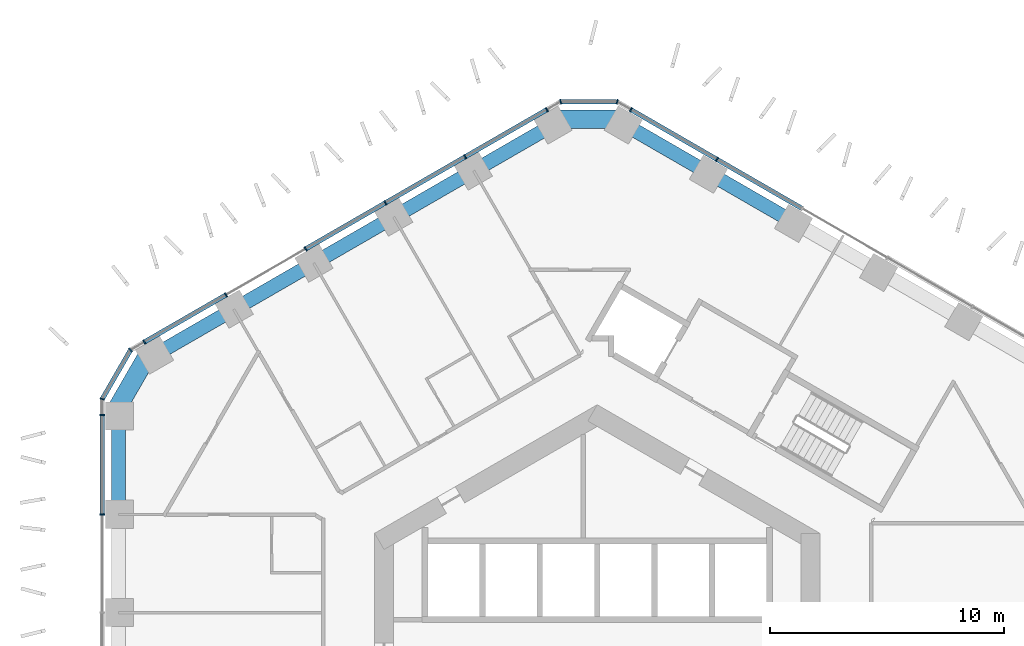
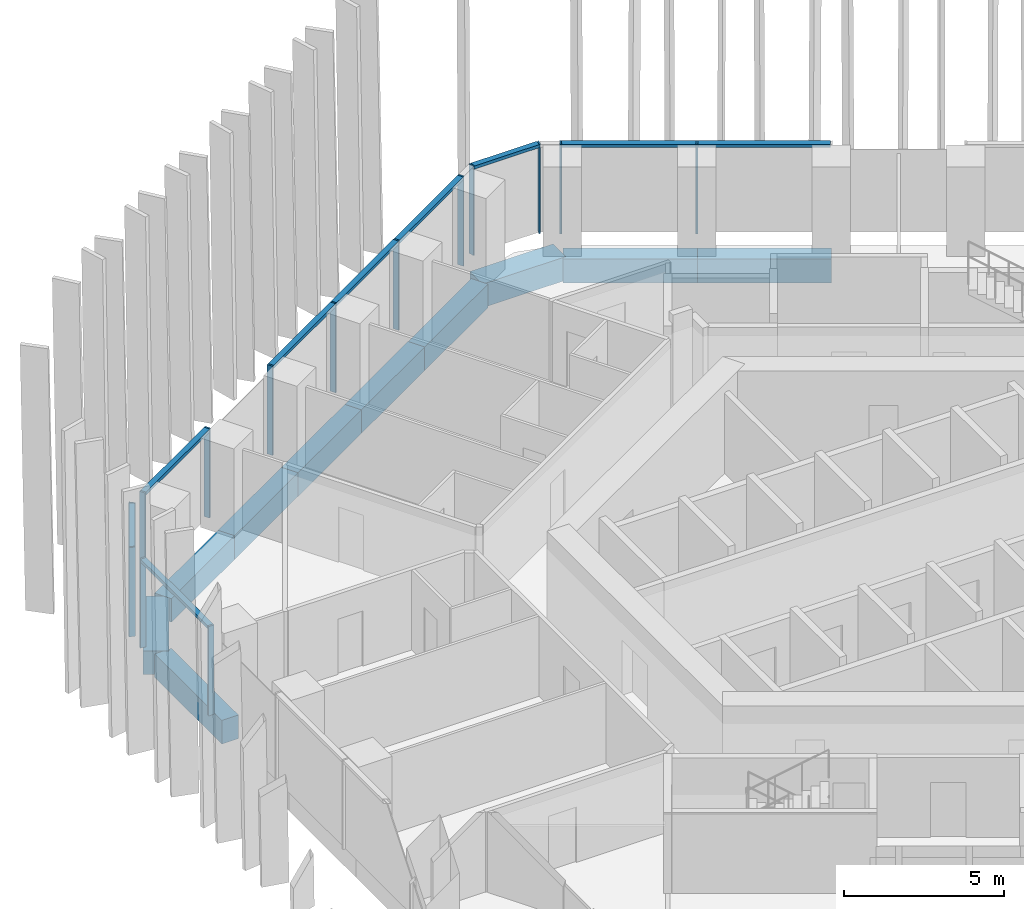
# One storey, part 6 of 19: 20 members, 10 beams, 5 elements without a shape of their own.
"""IFC4 building model written with IfcOpenShell, lengths in metres."""

from ifc_helpers import new_model, si_unit, direction, frame, origin, origin_2d, place, context, subcontext, project, spatial, rectangle, extrude, material, layer, layer_set, material_profile, profile_set, type_object, element, aggregate, save


model = new_model("IFC4")

# Units and contexts
model_context = context("Model", 3, precision=1e-05, world=origin(), true_north=direction((0.0, 1.0)))
body_context = subcontext(model_context, "Body", "Model", "MODEL_VIEW")
ifc_project = project(units=[si_unit("LENGTHUNIT", "METRE"), si_unit("AREAUNIT", "SQUARE_METRE"), si_unit("VOLUMEUNIT", "CUBIC_METRE"), si_unit("PLANEANGLEUNIT", "RADIAN"), si_unit("MASSUNIT", "GRAM", prefix="KILO")], contexts=[model_context])

# Site, building, storey
site_placement = place(None, origin())
site = spatial("IfcSite", under=ifc_project, at=site_placement, CompositionType="ELEMENT")
building_placement = place(site_placement, origin())
building = spatial("IfcBuilding", under=site, at=building_placement, Name="Ayvan Gate Tower", CompositionType="ELEMENT")
storey_placement = place(building_placement, frame((0.0, 0.0, 45.89990234375)))
storey = spatial("IfcBuildingStorey", under=building, at=storey_placement, Name="L11", CompositionType="ELEMENT", Elevation=45.89990234375)

# Beams
ifc_material_1 = material(Name="Concrete C40/50", Category="concrete")
ifc_material_profile_1 = material_profile(ifc_material_1, rectangle(XDim=0.800048828125, YDim=0.89990234375, at=origin_2d()), Name="RC 800x900")
ifc_profile_set_1 = profile_set([ifc_material_profile_1], Name="Concrete C40/50")
beam_type_1 = type_object("IfcBeamType", Name="Corner spandrel beam RC 800x900 C40/50", PredefinedType="BEAM", material=ifc_profile_set_1)
for number, where, z_axis, x_axis, name in (
    (1, (1.157958984375, 23.156494140625, -0.7998046875), (-1.0, 0.0, 0.0), (0.0, -1.0, 0.0), "SB-L11-12"),
    (2, (-19.133056640625, 13.173583984375, -0.7998046875), (-0.499990139034, -0.866031096941, 0.0), (0.866031096941, -0.499990139034, 0.0), "SB-L11-18"),
):
    element("IfcBeam", number, at=place(storey_placement, frame(where, z_axis=z_axis, x_axis=x_axis)), inside=storey, type_object=beam_type_1, Name=name, PredefinedType="BEAM", context=body_context, shape_type="SweptSolid", body=[
        extrude(rectangle(XDim=0.800048828125, YDim=0.89990234375, at=origin_2d()), origin(), (0.0, 0.0, 1.0), 3.0),
    ])
ifc_material_profile_2 = material_profile(ifc_material_1, rectangle(XDim=0.60009765625, YDim=0.89990234375, at=origin_2d()), Name="RC 600x900")
ifc_profile_set_2 = profile_set([ifc_material_profile_2], Name="Concrete C40/50")
beam_type_2 = type_object("IfcBeamType", Name="Spandrel beam RC 600x900 C40/50", PredefinedType="BEAM", material=ifc_profile_set_2)
for number, where, z_axis, x_axis, name in (
    (3, (8.40869140625, 18.750244140625, -0.7998046875), (-0.866041855584, 0.499971503564, 0.0), (-0.499971503564, -0.866041855584, 0.0), "SB-L11-10"),
    (4, (4.783203125, 20.84326171875, -0.7998046875), (-0.866002021773, 0.500040496645, 0.0), (-0.500040496645, -0.866002021773, 0.0), "SB-L11-11"),
):
    element("IfcBeam", number, at=place(storey_placement, frame(where, z_axis=z_axis, x_axis=x_axis)), inside=storey, type_object=beam_type_2, Name=name, PredefinedType="BEAM", context=body_context, shape_type="SweptSolid", body=[
        extrude(rectangle(XDim=0.60009765625, YDim=0.89990234375, at=origin_2d()), origin(), (0.0, 0.0, 1.0), 4.186279296875),
    ])
for number, where, z_axis, x_axis, name in (
    (5, (-1.842041015625, 22.9365234375, -0.7998046875), (-0.866028078518, -0.499995367196, 0.0), (0.499995367196, -0.866028078518, 0.0), "SB-L11-13"),
    (6, (-5.26220703125, 20.9619140625, -0.7998046875), (-0.866028078518, -0.499995367196, 0.0), (0.499995367196, -0.866028078518, 0.0), "SB-L11-14"),
):
    element("IfcBeam", number, at=place(storey_placement, frame(where, z_axis=z_axis, x_axis=x_axis)), inside=storey, type_object=beam_type_2, Name=name, PredefinedType="BEAM", context=body_context, shape_type="SweptSolid", body=[
        extrude(rectangle(XDim=0.60009765625, YDim=0.89990234375, at=origin_2d()), origin(), (0.0, 0.0, 1.0), 3.94921875),
    ])
beam_1_placement = place(storey_placement, frame((-8.682373046875, 18.9873046875, -0.7998046875), z_axis=(-0.866012622712, -0.500022136814, 0.0), x_axis=(0.500022136814, -0.866012622712, 0.0)))
element("IfcBeam", 7, at=beam_1_placement, inside=storey, type_object=beam_type_2, Name="SB-L11-15", PredefinedType="BEAM", context=body_context, shape_type="SweptSolid", body=[
    extrude(rectangle(XDim=0.60009765625, YDim=0.89990234375, at=origin_2d()), origin(), (0.0, 0.0, 1.0), 3.948974609375),
])
beam_2_placement = place(storey_placement, frame((-12.102294921875, 17.0126953125, -0.7998046875), z_axis=(-0.866028078518, -0.499995367196, 0.0), x_axis=(0.499995367196, -0.866028078518, 0.0)))
element("IfcBeam", 8, at=beam_2_placement, inside=storey, type_object=beam_type_2, Name="SB-L11-16", PredefinedType="BEAM", context=body_context, shape_type="SweptSolid", body=[
    extrude(rectangle(XDim=0.60009765625, YDim=0.89990234375, at=origin_2d()), origin(), (0.0, 0.0, 1.0), 3.94921875),
])
beam_3_placement = place(storey_placement, frame((-15.5224609375, 15.0380859375, -0.7998046875), z_axis=(-0.866012622712, -0.500022136814, 0.0), x_axis=(0.500022136814, -0.866012622712, 0.0)))
element("IfcBeam", 9, at=beam_3_placement, inside=storey, type_object=beam_type_2, Name="SB-L11-17", PredefinedType="BEAM", context=body_context, shape_type="SweptSolid", body=[
    extrude(rectangle(XDim=0.60009765625, YDim=0.89990234375, at=origin_2d()), origin(), (0.0, 0.0, 1.0), 3.948974609375),
])
beam_4_placement = place(storey_placement, frame((-20.4423828125, 10.465576171875, -0.7998046875), z_axis=(0.0, -1.0, 0.0), x_axis=(1.0, 0.0, 0.0)))
element("IfcBeam", 10, at=beam_4_placement, inside=storey, type_object=beam_type_2, Name="SB-L11-19", PredefinedType="BEAM", context=body_context, shape_type="SweptSolid", body=[
    extrude(rectangle(XDim=0.60009765625, YDim=0.89990234375, at=origin_2d()), origin(), (0.0, 0.0, 1.0), 4.186279296875),
])

# Curtain wall, members
ifc_material_2 = material(Name="Bronze anodised aluminium", Category="aluminium")
ifc_layer_1 = layer(ifc_material_2, 0.199951171875)
ifc_layer_set_1 = layer_set([ifc_layer_1], Name="Bronze anodised aluminium")
curtain_wall_type_1 = type_object("IfcCurtainWallType", Name="Stick curtain wall CW-1", PredefinedType="NOTDEFINED", material=ifc_layer_set_1)
curtain_wall_1_placement = place(storey_placement, origin())
curtain_wall_1 = element("IfcCurtainWall", 11, at=curtain_wall_1_placement, inside=storey, type_object=curtain_wall_type_1, Name="Stick curtain wall CW-1 L11", PredefinedType="NOTDEFINED")
ifc_material_profile_3 = material_profile(ifc_material_2, rectangle(XDim=0.199951171875, YDim=0.06005859375, at=origin_2d()), Name="Stick curtain wall CW-1 mullion 200 x 60")
ifc_profile_set_3 = profile_set([ifc_material_profile_3], Name="Bronze anodised aluminium")
member_type_1 = type_object("IfcMemberType", Name="Stick curtain wall CW-1 mullion 200 x 60", PredefinedType="MULLION", material=ifc_profile_set_3)
member_1_placement = place(storey_placement, frame((-2.15234375, 23.565673828125, 0.0), z_axis=(0.0, 0.0, 1.0), x_axis=(-0.5, 0.866025403784, 0.0)))
member_1 = element("IfcMember", 12, at=member_1_placement, type_object=member_type_1, Name="CW-1 mullion 1", PredefinedType="MULLION", context=body_context, shape_type="SweptSolid", body=[
    extrude(rectangle(XDim=0.199951171875, YDim=0.06005859375, at=origin_2d()), origin(), (0.0, 0.0, 1.0), 3.400146484375),
])
member_2_placement = place(storey_placement, frame((-5.637939453125, 21.55322265625, 0.0), z_axis=(0.0, 0.0, 1.0), x_axis=(-0.5, 0.866025403784, 0.0)))
member_2 = element("IfcMember", 13, at=member_2_placement, type_object=member_type_1, Name="CW-1 mullion 2", PredefinedType="MULLION", context=body_context, shape_type="SweptSolid", body=[
    extrude(rectangle(XDim=0.199951171875, YDim=0.06005859375, at=origin_2d()), origin(), (0.0, 0.0, 1.0), 3.400146484375),
])
member_3_placement = place(storey_placement, frame((-9.04052734375, 19.588623046875, 0.0), z_axis=(0.0, 0.0, 1.0), x_axis=(-0.5, 0.866025403784, 0.0)))
member_3 = element("IfcMember", 14, at=member_3_placement, type_object=member_type_1, Name="CW-1 mullion 3", PredefinedType="MULLION", context=body_context, shape_type="SweptSolid", body=[
    extrude(rectangle(XDim=0.199951171875, YDim=0.06005859375, at=origin_2d()), origin(), (0.0, 0.0, 1.0), 3.400146484375),
])
member_4_placement = place(storey_placement, frame((-12.443115234375, 17.624267578125, 0.0), z_axis=(0.0, 0.0, 1.0), x_axis=(-0.5, 0.866025403784, 0.0)))
member_4 = element("IfcMember", 15, at=member_4_placement, type_object=member_type_1, Name="CW-1 mullion 4", PredefinedType="MULLION", context=body_context, shape_type="SweptSolid", body=[
    extrude(rectangle(XDim=0.199951171875, YDim=0.06005859375, at=origin_2d()), origin(), (0.0, 0.0, 1.0), 3.400146484375),
])
member_5_placement = place(storey_placement, frame((-15.845947265625, 15.65966796875, 0.0), z_axis=(0.0, 0.0, 1.0), x_axis=(-0.5, 0.866025403784, 0.0)))
member_5 = element("IfcMember", 16, at=member_5_placement, type_object=member_type_1, Name="CW-1 mullion 5", PredefinedType="MULLION", context=body_context, shape_type="SweptSolid", body=[
    extrude(rectangle(XDim=0.199951171875, YDim=0.06005859375, at=origin_2d()), origin(), (0.0, 0.0, 1.0), 3.400146484375),
])
member_6_placement = place(storey_placement, frame((-19.332275390625, 13.646728515625, 0.0), z_axis=(0.0, 0.0, 1.0), x_axis=(-0.5, 0.866025403784, 0.0)))
member_6 = element("IfcMember", 17, at=member_6_placement, type_object=member_type_1, Name="CW-1 mullion 6", PredefinedType="MULLION", context=body_context, shape_type="SweptSolid", body=[
    extrude(rectangle(XDim=0.199951171875, YDim=0.06005859375, at=origin_2d()), origin(), (0.0, 0.0, 1.0), 3.400146484375),
])

curtain_wall_2_placement = place(storey_placement, origin())
curtain_wall_2 = element("IfcCurtainWall", 18, at=curtain_wall_2_placement, inside=storey, type_object=curtain_wall_type_1, Name="Stick curtain wall CW-1 L11", PredefinedType="NOTDEFINED")
member_7_placement = place(storey_placement, frame((-21.12841796875, 10.53564453125, 0.0), z_axis=(0.0, 0.0, 1.0), x_axis=(-1.0, 0.0, 0.0)))
member_7 = element("IfcMember", 19, at=member_7_placement, type_object=member_type_1, Name="CW-1 mullion 1", PredefinedType="MULLION", context=body_context, shape_type="SweptSolid", body=[
    extrude(rectangle(XDim=0.199951171875, YDim=0.06005859375, at=origin_2d()), origin(), (0.0, 0.0, 1.0), 3.400146484375),
])
member_8_placement = place(storey_placement, frame((-21.12841796875, 6.294677734375, 0.0), z_axis=(0.0, 0.0, 1.0), x_axis=(-1.0, 0.0, 0.0)))
member_8 = element("IfcMember", 20, at=member_8_placement, type_object=member_type_1, Name="CW-1 mullion 2", PredefinedType="MULLION", context=body_context, shape_type="SweptSolid", body=[
    extrude(rectangle(XDim=0.199951171875, YDim=0.06005859375, at=origin_2d()), origin(), (0.0, 0.0, 1.0), 3.400146484375),
])

curtain_wall_3_placement = place(storey_placement, origin())
curtain_wall_3 = element("IfcCurtainWall", 21, at=curtain_wall_3_placement, inside=storey, type_object=curtain_wall_type_1, Name="Stick curtain wall CW-1 L11", PredefinedType="NOTDEFINED")
member_9_placement = place(storey_placement, frame((5.11328125, 21.445068359375, 0.0), z_axis=(0.0, 0.0, 1.0), x_axis=(0.5, 0.866025403784, 0.0)))
member_9 = element("IfcMember", 22, at=member_9_placement, type_object=member_type_1, Name="CW-1 mullion 5", PredefinedType="MULLION", context=body_context, shape_type="SweptSolid", body=[
    extrude(rectangle(XDim=0.199951171875, YDim=0.06005859375, at=origin_2d()), origin(), (0.0, 0.0, 1.0), 3.400146484375),
])
member_10_placement = place(storey_placement, frame((1.440185546875, 23.565673828125, 0.0), z_axis=(0.0, 0.0, 1.0), x_axis=(0.5, 0.866025403784, 0.0)))
member_10 = element("IfcMember", 23, at=member_10_placement, type_object=member_type_1, Name="CW-1 mullion 6", PredefinedType="MULLION", context=body_context, shape_type="SweptSolid", body=[
    extrude(rectangle(XDim=0.199951171875, YDim=0.06005859375, at=origin_2d()), origin(), (0.0, 0.0, 1.0), 3.400146484375),
])

# Member
ifc_material_profile_4 = material_profile(ifc_material_2, rectangle(XDim=0.199951171875, YDim=0.1201171875, at=origin_2d()), Name="Stick curtain wall CW-1 transom 200 x 120")
ifc_profile_set_4 = profile_set([ifc_material_profile_4], Name="Bronze anodised aluminium")
member_type_2 = type_object("IfcMemberType", Name="Stick curtain wall CW-1 transom 200 x 120", PredefinedType="USERDEFINED", material=ifc_profile_set_4)
member_11_placement = place(storey_placement, frame((-2.15234375, 23.565673828125, 3.340087890625), z_axis=(-0.866022657331, -0.500004756968, 0.0), x_axis=(0.500004756968, -0.866022657331, 0.0)))
member_11 = element("IfcMember", 24, at=member_11_placement, type_object=member_type_2, Name="CW-1 transom 1", ObjectType="TRANSOM", PredefinedType="USERDEFINED", context=body_context, shape_type="SweptSolid", body=[
    extrude(rectangle(XDim=0.199951171875, YDim=0.1201171875, at=origin_2d()), origin(), (0.0, 0.0, 1.0), 11.85302734375),
])

member_12_placement = place(storey_placement, frame((-15.871826171875, 15.644775390625, 3.340087890625), z_axis=(-0.866008543052, -0.500029202507, 0.0), x_axis=(0.500029202507, -0.866008543052, 0.0)))
member_12 = element("IfcMember", 25, at=member_12_placement, type_object=member_type_2, Name="CW-1 transom 2", ObjectType="TRANSOM", PredefinedType="USERDEFINED", context=body_context, shape_type="SweptSolid", body=[
    extrude(rectangle(XDim=0.199951171875, YDim=0.1201171875, at=origin_2d()), origin(), (0.0, 0.0, 1.0), 3.995849609375),
])

aggregate(curtain_wall_1, [member_1, member_2, member_3, member_4, member_5, member_6, member_11, member_12])

member_13_placement = place(storey_placement, frame((-21.12841796875, 10.53564453125, 3.340087890625), z_axis=(0.0, -1.0, 0.0), x_axis=(1.0, 0.0, 0.0)))
member_13 = element("IfcMember", 26, at=member_13_placement, type_object=member_type_2, Name="CW-1 transom 1", ObjectType="TRANSOM", PredefinedType="USERDEFINED", context=body_context, shape_type="SweptSolid", body=[
    extrude(rectangle(XDim=0.199951171875, YDim=0.1201171875, at=origin_2d()), origin(), (0.0, 0.0, 1.0), 4.2109375),
])

aggregate(curtain_wall_2, [member_7, member_8, member_13])

member_14_placement = place(storey_placement, frame((8.72119140625, 19.362060546875, 3.340087890625), z_axis=(-0.866029390774, 0.499993094268, 0.0), x_axis=(-0.499993094268, -0.866029390774, 0.0)))
member_14 = element("IfcMember", 27, at=member_14_placement, type_object=member_type_2, Name="CW-1 transom 2", ObjectType="TRANSOM", PredefinedType="USERDEFINED", context=body_context, shape_type="SweptSolid", body=[
    extrude(rectangle(XDim=0.199951171875, YDim=0.1201171875, at=origin_2d()), origin(), (0.0, 0.0, 1.0), 8.4072265625),
])

aggregate(curtain_wall_3, [member_9, member_10, member_14])

# Curtain wall, members
ifc_layer_2 = layer(ifc_material_2, 0.199951171875)
ifc_layer_set_2 = layer_set([ifc_layer_2], Name="Bronze anodised aluminium")
curtain_wall_type_2 = type_object("IfcCurtainWallType", Name="Stick curtain wall CW-6", PredefinedType="NOTDEFINED", material=ifc_layer_set_2)
curtain_wall_4_placement = place(storey_placement, origin())
curtain_wall_4 = element("IfcCurtainWall", 28, at=curtain_wall_4_placement, inside=storey, type_object=curtain_wall_type_2, Name="Stick curtain wall CW-6 L11", PredefinedType="NOTDEFINED")
ifc_material_profile_5 = material_profile(ifc_material_2, rectangle(XDim=0.199951171875, YDim=0.050048828125, at=origin_2d()), Name="Stick curtain wall CW-6 mullion 200 x 50")
ifc_profile_set_5 = profile_set([ifc_material_profile_5], Name="Bronze anodised aluminium")
member_type_3 = type_object("IfcMemberType", Name="Stick curtain wall CW-6 mullion 200 x 50", PredefinedType="MULLION", material=ifc_profile_set_5)
member_15_placement = place(storey_placement, frame((-19.921142578125, 13.306640625, 0.0), z_axis=(0.0, 0.0, 1.0), x_axis=(-0.707106781187, 0.707106781187, 0.0)))
member_15 = element("IfcMember", 29, at=member_15_placement, type_object=member_type_3, Name="CW-6 mullion 2", PredefinedType="MULLION", context=body_context, shape_type="SweptSolid", body=[
    extrude(rectangle(XDim=0.199951171875, YDim=0.050048828125, at=origin_2d()), origin(), (0.0, 0.0, 1.0), 3.400146484375),
])
member_16_placement = place(storey_placement, frame((-21.12841796875, 11.215576171875, 0.0), z_axis=(0.0, 0.0, 1.0), x_axis=(-0.965925826289, 0.258819045103, 0.0)))
member_16 = element("IfcMember", 30, at=member_16_placement, type_object=member_type_3, Name="CW-6 mullion 3", PredefinedType="MULLION", context=body_context, shape_type="SweptSolid", body=[
    extrude(rectangle(XDim=0.199951171875, YDim=0.050048828125, at=origin_2d()), origin(), (0.0, 0.0, 1.0), 3.400146484375),
])

curtain_wall_5_placement = place(storey_placement, origin())
curtain_wall_5 = element("IfcCurtainWall", 31, at=curtain_wall_5_placement, inside=storey, type_object=curtain_wall_type_2, Name="Stick curtain wall CW-6 L11", PredefinedType="NOTDEFINED")
member_17_placement = place(storey_placement, frame((0.85107421875, 23.90576171875, 0.0), z_axis=(0.0, 0.0, 1.0), x_axis=(0.258819045103, 0.965925826289, 0.0)))
member_17 = element("IfcMember", 32, at=member_17_placement, type_object=member_type_3, Name="CW-6 mullion 2", PredefinedType="MULLION", context=body_context, shape_type="SweptSolid", body=[
    extrude(rectangle(XDim=0.199951171875, YDim=0.050048828125, at=origin_2d()), origin(), (0.0, 0.0, 1.0), 3.400146484375),
])
member_18_placement = place(storey_placement, frame((-1.5634765625, 23.90576171875, 0.0), z_axis=(0.0, 0.0, 1.0), x_axis=(-0.258819045103, 0.965925826289, 0.0)))
member_18 = element("IfcMember", 33, at=member_18_placement, type_object=member_type_3, Name="CW-6 mullion 3", PredefinedType="MULLION", context=body_context, shape_type="SweptSolid", body=[
    extrude(rectangle(XDim=0.199951171875, YDim=0.050048828125, at=origin_2d()), origin(), (0.0, 0.0, 1.0), 3.400146484375),
])

# Member
ifc_material_profile_6 = material_profile(ifc_material_2, rectangle(XDim=0.199951171875, YDim=0.1201171875, at=origin_2d()), Name="Stick curtain wall CW-6 transom 200 x 120")
ifc_profile_set_6 = profile_set([ifc_material_profile_6], Name="Bronze anodised aluminium")
member_type_4 = type_object("IfcMemberType", Name="Stick curtain wall CW-6 transom 200 x 120", PredefinedType="USERDEFINED", material=ifc_profile_set_6)
member_19_placement = place(storey_placement, frame((-19.933837890625, 13.28515625, 3.340087890625), z_axis=(-0.499936960004, -0.866061796884, 0.0), x_axis=(0.866061796884, -0.499936960004, 0.0)))
member_19 = element("IfcMember", 34, at=member_19_placement, type_object=member_type_4, Name="CW-6 transom 2", ObjectType="TRANSOM", PredefinedType="USERDEFINED", context=body_context, shape_type="SweptSolid", body=[
    extrude(rectangle(XDim=0.199951171875, YDim=0.1201171875, at=origin_2d()), origin(), (0.0, 0.0, 1.0), 2.364501953125),
])

aggregate(curtain_wall_4, [member_15, member_16, member_19])

member_20_placement = place(storey_placement, frame((0.826171875, 23.90576171875, 3.340087890625), z_axis=(-1.0, 0.0, 0.0), x_axis=(0.0, -1.0, 0.0)))
member_20 = element("IfcMember", 35, at=member_20_placement, type_object=member_type_4, Name="CW-6 transom 2", ObjectType="TRANSOM", PredefinedType="USERDEFINED", context=body_context, shape_type="SweptSolid", body=[
    extrude(rectangle(XDim=0.199951171875, YDim=0.1201171875, at=origin_2d()), origin(), (0.0, 0.0, 1.0), 2.364501953125),
])

aggregate(curtain_wall_5, [member_17, member_18, member_20])

save(model, "model.ifc")
